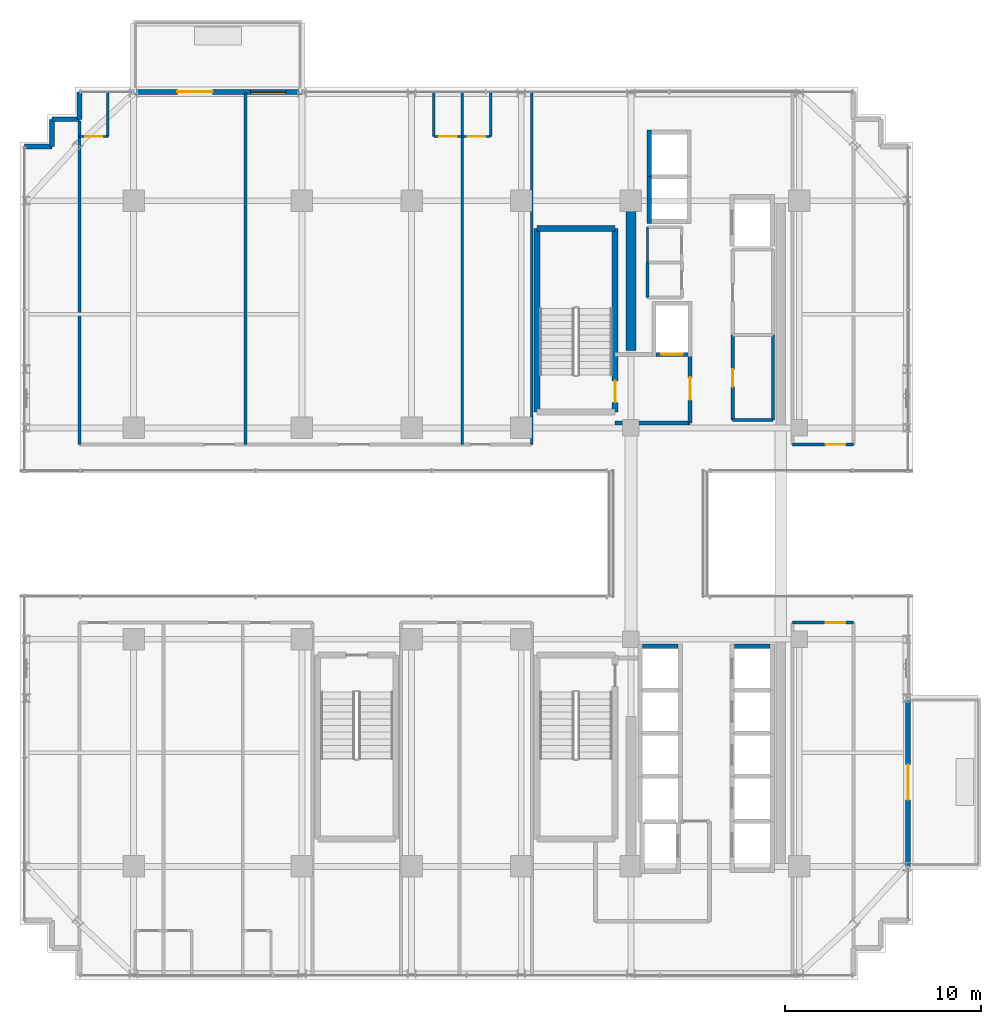
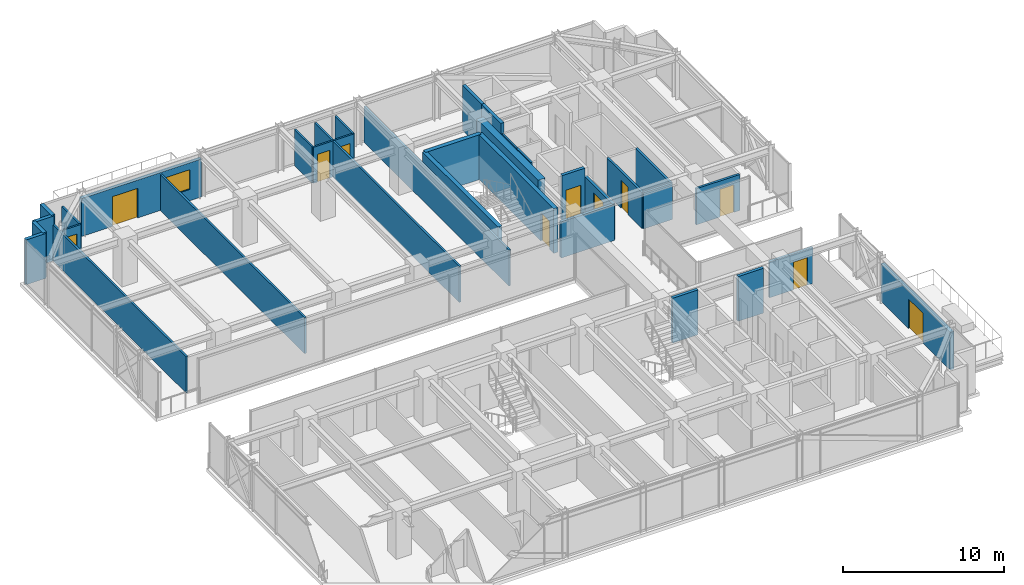
# One storey, part 31 of 36: 34 walls, 11 doors, 1 window, 12 openings.
"""IFC4 building model written with IfcOpenShell, lengths in metres."""

from ifc_helpers import new_model, si_unit, direction, frame, frame_2d, origin, place, context, subcontext, project, spatial, rectangle, extrude, source, transform, mapped, material, layer, layer_set, type_object, element, fill, save


model = new_model("IFC4")

# Units and contexts
model_context = context("Model", 3, precision=1e-05, world=origin(), true_north=direction((0.0, 1.0)))
body_context = subcontext(model_context, "Body", "Model", "MODEL_VIEW")
ifc_project = project(units=[si_unit("LENGTHUNIT", "METRE"), si_unit("AREAUNIT", "SQUARE_METRE"), si_unit("VOLUMEUNIT", "CUBIC_METRE"), si_unit("PLANEANGLEUNIT", "RADIAN"), si_unit("MASSUNIT", "GRAM", prefix="KILO")], contexts=[model_context])

# Site, building, storey
site_placement = place(None, origin())
site = spatial("IfcSite", under=ifc_project, at=site_placement, CompositionType="ELEMENT")
building_placement = place(site_placement, origin())
building = spatial("IfcBuilding", under=site, at=building_placement, Name="Nahalor Promenade Grand Hotel", CompositionType="ELEMENT")
storey_placement = place(building_placement, frame((0.0, 0.0, 174.550048828125)))
storey = spatial("IfcBuildingStorey", under=building, at=storey_placement, Name="L44", CompositionType="ELEMENT", Elevation=174.550048828125)

# Walls
ifc_material_1 = material(Name="Concrete B-60 (C50/60)", Category="concrete")
ifc_layer_1 = layer(ifc_material_1, 0.5)
ifc_layer_set_1 = layer_set([ifc_layer_1], Name="Concrete B-60 (C50/60)")
wall_type_1 = type_object("IfcWallType", Name="Wall-CoreShear-500", PredefinedType="SHEAR", material=ifc_layer_set_1)
shared_shape_1 = source(origin(), body_context, "Body", "SweptSolid", [
    extrude(rectangle(XDim=7.64990234375, YDim=0.5, at=frame_2d((3.824951171875, 0.0))), origin(), (0.0, 0.0, 1.0), 3.389892578125),
])
wall_1_placement = place(storey_placement, frame((8.39990234375, 9.35009765625, 0.0), z_axis=(0.0, 0.0, 1.0), x_axis=(0.0, 1.0, 0.0)))
element("IfcWall", 1, at=wall_1_placement, inside=storey, type_object=wall_type_1, Name="CWALL-L44-NW", PredefinedType="SHEAR", context=body_context, shape_type="MappedRepresentation", body=[
    mapped(shared_shape_1, transform((0.0, 0.0, 0.0), scale=1.0)),
])
ifc_material_2 = material(Name="Concrete B-50 (C40/50)", Category="concrete")
ifc_layer_2 = layer(ifc_material_2, 0.300048828125)
ifc_layer_set_2 = layer_set([ifc_layer_2], Name="Concrete B-50 (C40/50)")
wall_type_2 = type_object("IfcWallType", Name="Wall-ShaftShear-300", PredefinedType="SHEAR", material=ifc_layer_set_2)
shared_shape_2 = source(origin(), body_context, "Body", "SweptSolid", [
    extrude(rectangle(XDim=3.97998046875, YDim=0.300048828125, at=frame_2d((1.989990234375, 0.0))), origin(), (0.0, 0.0, 1.0), 3.389892578125),
])
wall_2_placement = place(storey_placement, frame((3.610107421875, 15.590087890625, 0.0), z_axis=(0.0, 0.0, 1.0), x_axis=(1.0, 0.0, 0.0)))
element("IfcWall", 2, at=wall_2_placement, inside=storey, type_object=wall_type_2, Name="L44 Exit Stair ST1 Shaft Wall N", PredefinedType="SHEAR", context=body_context, shape_type="MappedRepresentation", body=[
    mapped(shared_shape_2, transform((0.0, 0.0, 0.0), scale=1.0)),
])
shared_shape_3 = source(origin(), body_context, "Body", "SweptSolid", [
    extrude(rectangle(XDim=9.380126953125, YDim=0.300048828125, at=frame_2d((4.68994140625, 0.0))), origin(), (0.0, 0.0, 1.0), 3.389892578125),
])
wall_3_placement = place(storey_placement, frame((3.610107421875, 6.2099609375, 0.0), z_axis=(0.0, 0.0, 1.0), x_axis=(0.0, 1.0, 0.0)))
element("IfcWall", 3, at=wall_3_placement, inside=storey, type_object=wall_type_2, Name="L44 Exit Stair ST1 Shaft Wall W", PredefinedType="SHEAR", context=body_context, shape_type="MappedRepresentation", body=[
    mapped(shared_shape_3, transform((0.0, 0.0, 0.0), scale=1.0)),
])

# Wall, opening, door
wall_4_placement = place(storey_placement, frame((7.590087890625, 6.2099609375, 0.0), z_axis=(0.0, 0.0, 1.0), x_axis=(0.0, 1.0, 0.0)))
wall_4 = element("IfcWall", 4, at=wall_4_placement, inside=storey, type_object=wall_type_2, Name="L44 Exit Stair ST1 Shaft Wall E", PredefinedType="SHEAR", context=body_context, shape_type="MappedRepresentation", body=[
    mapped(shared_shape_3, transform((0.0, 0.0, 0.0), scale=1.0)),
])
opening_1_placement = place(wall_4_placement, frame((0.489990234375, 0.0, 0.0)))
opening_1 = element("IfcOpeningElement", 5, at=opening_1_placement, cuts=wall_4, Name="Opening D-ST1", PredefinedType="OPENING", context=body_context, shape_type="SweptSolid", body=[
    extrude(rectangle(XDim=1.10009765625, YDim=2.14990234375, at=frame_2d((0.550048828125, 1.074951171875))), frame((0.0, 0.159912109375, 0.0), z_axis=(0.0, -1.0, 0.0), x_axis=(1.0, 0.0, 0.0)), (0.0, 0.0, 1.0), 0.320068359375),
])
ifc_material_3 = material(Name="Steel S355JR", Category="steel")
door_type_1 = type_object("IfcDoorType", Name="Door-StairFire-1100", OperationType="NOTDEFINED", PredefinedType="DOOR", material=ifc_material_3)
shared_shape_4 = source(origin(), body_context, "Body", "SweptSolid", [
    extrude(rectangle(XDim=1.10009765625, YDim=2.14990234375, at=frame_2d((0.550048828125, 1.074951171875))), frame((0.0, 0.02490234375, 0.0), z_axis=(0.0, -1.0, 0.0), x_axis=(1.0, 0.0, 0.0)), (0.0, 0.0, 1.0), 0.050048828125),
])
door_1_placement = place(opening_1_placement, origin())
door_1 = element("IfcDoor", 6, at=door_1_placement, inside=storey, type_object=door_type_1, Name="DR-STAIR-ST1-L44", OperationType="SINGLE_SWING_LEFT", OverallHeight=2.14990234375, OverallWidth=1.10009765625, PredefinedType="DOOR", context=body_context, shape_type="MappedRepresentation", body=[
    mapped(shared_shape_4, transform((0.0, 0.0, 0.0), scale=1.0)),
])
fill(opening_1, door_1)

# Walls
ifc_layer_3 = layer(ifc_material_2, 0.219970703125)
ifc_layer_set_3 = layer_set([ifc_layer_3], Name="Concrete B-50 (C40/50)")
wall_type_3 = type_object("IfcWallType", Name="Wall-LiftShaft-220", PredefinedType="SHEAR", material=ifc_layer_set_3)
shared_shape_5 = source(origin(), body_context, "Body", "SweptSolid", [
    extrude(rectangle(XDim=1.820068359375, YDim=0.219970703125, at=frame_2d((0.91015625, 0.0))), origin(), (0.0, 0.0, 1.0), 3.389892578125),
])
for number, where, z_axis, x_axis, name in (
    (7, (13.68994140625, -5.75, 0.0), (0.0, 0.0, 1.0), (1.0, 0.0, 0.0), "L44 Lift PL5 Hoistway Wall N"),
    (8, (8.989990234375, -5.75, 0.0), (0.0, 0.0, 1.0), (1.0, 0.0, 0.0), "L44 Lift PL9 Hoistway Wall N"),
):
    element("IfcWall", number, at=place(storey_placement, frame(where, z_axis=z_axis, x_axis=x_axis)), inside=storey, type_object=wall_type_3, Name=name, PredefinedType="SHEAR", context=body_context, shape_type="MappedRepresentation", body=[
        mapped(shared_shape_5, transform((0.0, 0.0, 0.0), scale=1.0)),
    ])
shared_shape_6 = source(origin(), body_context, "Body", "SweptSolid", [
    extrude(rectangle(XDim=2.385009765625, YDim=0.219970703125, at=frame_2d((1.1923828125, 0.0))), origin(), (0.0, 0.0, 1.0), 3.389892578125),
])
for number, where, z_axis, x_axis, name in (
    (9, (9.330078125, 15.840087890625, 0.0), (0.0, 0.0, 1.0), (0.0, 1.0, 0.0), "L44 Lift OB1 Hoistway Wall W"),
    (10, (9.330078125, 18.22509765625, 0.0), (0.0, 0.0, 1.0), (0.0, 1.0, 0.0), "L44 Lift OB2 Hoistway Wall W"),
):
    element("IfcWall", number, at=place(storey_placement, frame(where, z_axis=z_axis, x_axis=x_axis)), inside=storey, type_object=wall_type_3, Name=name, PredefinedType="SHEAR", context=body_context, shape_type="MappedRepresentation", body=[
        mapped(shared_shape_6, transform((0.0, 0.0, 0.0), scale=1.0)),
    ])

# Wall, opening, door
shared_shape_7 = source(origin(), body_context, "Body", "SweptSolid", [
    extrude(rectangle(XDim=1.6201171875, YDim=0.219970703125, at=frame_2d((0.81005859375, 0.0))), origin(), (0.0, 0.0, 1.0), 3.389892578125),
])
wall_5_placement = place(storey_placement, frame((9.68994140625, 9.14990234375, 0.0), z_axis=(0.0, 0.0, 1.0), x_axis=(1.0, 0.0, 0.0)))
wall_5 = element("IfcWall", 11, at=wall_5_placement, inside=storey, type_object=wall_type_3, Name="L44 Lift FL1 Hoistway Wall S", PredefinedType="SHEAR", context=body_context, shape_type="MappedRepresentation", body=[
    mapped(shared_shape_7, transform((0.0, 0.0, 0.0), scale=1.0)),
])
opening_2_placement = place(wall_5_placement, frame((0.260009765625, 0.0, 0.0)))
opening_2 = element("IfcOpeningElement", 12, at=opening_2_placement, cuts=wall_5, Name="Opening LD-02", PredefinedType="OPENING", context=body_context, shape_type="SweptSolid", body=[
    extrude(rectangle(XDim=1.10009765625, YDim=2.199951171875, at=frame_2d((0.550048828125, 1.10009765625))), frame((0.0, 0.119873046875, 0.0), z_axis=(0.0, -1.0, 0.0), x_axis=(1.0, 0.0, 0.0)), (0.0, 0.0, 1.0), 0.239990234375),
])
door_type_2 = type_object("IfcDoorType", Name="Door-LiftFF-1100", OperationType="DOUBLE_DOOR_SLIDING", PredefinedType="DOOR", material=ifc_material_3)
shared_shape_8 = source(origin(), body_context, "Body", "SweptSolid", [
    extrude(rectangle(XDim=1.10009765625, YDim=2.199951171875, at=frame_2d((0.550048828125, 1.10009765625))), frame((0.0, 0.02490234375, 0.0), z_axis=(0.0, -1.0, 0.0), x_axis=(1.0, 0.0, 0.0)), (0.0, 0.0, 1.0), 0.050048828125),
])
door_2_placement = place(opening_2_placement, frame((1.10009765625, 0.0, 0.0), z_axis=(0.0, 0.0, 1.0), x_axis=(-1.0, 0.0, 0.0)))
door_2 = element("IfcDoor", 13, at=door_2_placement, inside=storey, type_object=door_type_2, Name="DR-LIFT-FL1-L44", OperationType="DOUBLE_DOOR_SLIDING", OverallHeight=2.199951171875, OverallWidth=1.10009765625, PredefinedType="DOOR", context=body_context, shape_type="MappedRepresentation", body=[
    mapped(shared_shape_8, transform((0.0, 0.0, 0.0), scale=1.0)),
])
fill(opening_2, door_2)

# Walls
ifc_material_4 = material(Name="Concrete B-40 (C32/40)", Category="concrete")
ifc_layer_4 = layer(ifc_material_4, 0.25)
ifc_layer_set_4 = layer_set([ifc_layer_4], Name="Concrete B-40 (C32/40)")
wall_type_4 = type_object("IfcWallType", Name="Wall-BronzePier-250", PredefinedType="STANDARD", material=ifc_layer_set_4)
shared_shape_9 = source(origin(), body_context, "Body", "SweptSolid", [
    extrude(rectangle(XDim=1.400146484375, YDim=0.25, at=frame_2d((0.7001953125, 0.0))), origin(), (0.0, 0.0, 1.0), 3.389892578125),
])
for number, where, z_axis, x_axis, name in (
    (14, (-19.760009765625, 21.159912109375, 0.0), (0.0, 0.0, 1.0), (0.0, 1.0, 0.0), "W-L44-SR-09"),
    (15, (-22.56005859375, 19.760009765625, 0.0), (0.0, 0.0, 1.0), (1.0, 0.0, 0.0), "W-L44-SR-12"),
):
    element("IfcWall", number, at=place(storey_placement, frame(where, z_axis=z_axis, x_axis=x_axis)), inside=storey, type_object=wall_type_4, Name=name, PredefinedType="STANDARD", context=body_context, shape_type="MappedRepresentation", body=[
        mapped(shared_shape_9, transform((0.0, 0.0, 0.0), scale=1.0)),
    ])
shared_shape_10 = source(origin(), body_context, "Body", "SweptSolid", [
    extrude(rectangle(XDim=1.39990234375, YDim=0.25, at=frame_2d((0.699951171875, 0.0))), origin(), (0.0, 0.0, 1.0), 3.389892578125),
])
for number, where, z_axis, x_axis, name in (
    (16, (-21.159912109375, 21.159912109375, 0.0), (0.0, 0.0, 1.0), (1.0, 0.0, 0.0), "W-L44-SR-10"),
    (17, (-21.159912109375, 19.760009765625, 0.0), (0.0, 0.0, 1.0), (0.0, 1.0, 0.0), "W-L44-SR-11"),
):
    element("IfcWall", number, at=place(storey_placement, frame(where, z_axis=z_axis, x_axis=x_axis)), inside=storey, type_object=wall_type_4, Name=name, PredefinedType="STANDARD", context=body_context, shape_type="MappedRepresentation", body=[
        mapped(shared_shape_10, transform((0.0, 0.0, 0.0), scale=1.0)),
    ])

# Wall, openings, door, window
ifc_layer_5 = layer(ifc_material_4, 0.260009765625)
ifc_layer_set_5 = layer_set([ifc_layer_5], Name="Concrete B-40 (C32/40)")
wall_type_5 = type_object("IfcWallType", Name="Wall-BalconyWall-260", PredefinedType="STANDARD", material=ifc_layer_set_5)
shared_shape_11 = source(origin(), body_context, "Body", "SweptSolid", [
    extrude(rectangle(XDim=8.60009765625, YDim=0.260009765625, at=frame_2d((4.300048828125, 0.0))), origin(), (0.0, 0.0, 1.0), 2.869873046875),
])
wall_6_placement = place(storey_placement, frame((-17.0, 22.56005859375, 0.0), z_axis=(0.0, 0.0, 1.0), x_axis=(1.0, 0.0, 0.0)))
wall_6 = element("IfcWall", 18, at=wall_6_placement, inside=storey, type_object=wall_type_5, Name="W-L44-BALC-N-2", PredefinedType="STANDARD", context=body_context, shape_type="MappedRepresentation", body=[
    mapped(shared_shape_11, transform((0.0, 0.0, 0.0), scale=1.0)),
])
opening_3_placement = place(wall_6_placement, frame((2.23291015625, 0.0, 0.0)))
opening_3 = element("IfcOpeningElement", 19, at=opening_3_placement, cuts=wall_6, Name="Opening D-BC1", PredefinedType="OPENING", context=body_context, shape_type="SweptSolid", body=[
    extrude(rectangle(XDim=1.800048828125, YDim=2.25, at=frame_2d((0.89990234375, 1.125))), frame((0.0, 0.139892578125, 0.0), z_axis=(0.0, -1.0, 0.0), x_axis=(1.0, 0.0, 0.0)), (0.0, 0.0, 1.0), 0.280029296875),
])
opening_4_placement = place(wall_6_placement, frame((5.98291015625, 0.0, 0.85009765625)))
opening_4 = element("IfcOpeningElement", 20, at=opening_4_placement, cuts=wall_6, Name="Opening WN-01", PredefinedType="OPENING", context=body_context, shape_type="SweptSolid", body=[
    extrude(rectangle(XDim=1.800048828125, YDim=1.5, at=frame_2d((0.89990234375, 0.75))), frame((0.0, 0.139892578125, 0.0), z_axis=(0.0, -1.0, 0.0), x_axis=(1.0, 0.0, 0.0)), (0.0, 0.0, 1.0), 0.280029296875),
])
ifc_material_5 = material(Name="Anodised Bronze Aluminium EN AW-6063 T6", Category="aluminium")
door_type_3 = type_object("IfcDoorType", Name="Door-BalconySlide-1800", OperationType="DOUBLE_DOOR_SLIDING", PredefinedType="DOOR", material=ifc_material_5)
shared_shape_12 = source(origin(), body_context, "Body", "SweptSolid", [
    extrude(rectangle(XDim=1.800048828125, YDim=2.25, at=frame_2d((0.89990234375, 1.125))), frame((0.0, 0.02490234375, 0.0), z_axis=(0.0, -1.0, 0.0), x_axis=(1.0, 0.0, 0.0)), (0.0, 0.0, 1.0), 0.050048828125),
])
door_3_placement = place(opening_3_placement, origin())
door_3 = element("IfcDoor", 21, at=door_3_placement, inside=storey, type_object=door_type_3, Name="DR-L44-BALC-N-2", OperationType="DOUBLE_DOOR_SLIDING", OverallHeight=2.25, OverallWidth=1.800048828125, PredefinedType="DOOR", context=body_context, shape_type="MappedRepresentation", body=[
    mapped(shared_shape_12, transform((0.0, 0.0, 0.0), scale=1.0)),
])
fill(opening_3, door_3)
ifc_material_6 = material(Name="Low-E Laminated Solar Glass", Category="glass")
window_type = type_object("IfcWindowType", Name="Win-ChicagoBay-1800x1500", PartitioningType="SINGLE_PANEL", PredefinedType="WINDOW", material=ifc_material_6)
shared_shape_13 = source(origin(), body_context, "Body", "SweptSolid", [
    extrude(rectangle(XDim=1.800048828125, YDim=1.5, at=frame_2d((0.89990234375, 0.75))), frame((0.0, 0.030029296875, 0.0), z_axis=(0.0, -1.0, 0.0), x_axis=(1.0, 0.0, 0.0)), (0.0, 0.0, 1.0), 0.06005859375),
])
window_placement = place(opening_4_placement, origin())
window = element("IfcWindow", 22, at=window_placement, inside=storey, type_object=window_type, Name="WN-L44-BALC-N-2-1", OverallHeight=1.5, OverallWidth=1.800048828125, PartitioningType="SINGLE_PANEL", PredefinedType="WINDOW", context=body_context, shape_type="MappedRepresentation", body=[
    mapped(shared_shape_13, transform((0.0, 0.0, 0.0), scale=1.0)),
])
fill(opening_4, window)

# Wall, opening, door
wall_7_placement = place(storey_placement, frame((22.56005859375, -17.0, 0.0), z_axis=(0.0, 0.0, 1.0), x_axis=(0.0, 1.0, 0.0)))
wall_7 = element("IfcWall", 23, at=wall_7_placement, inside=storey, type_object=wall_type_5, Name="W-L44-BALC-E-2", PredefinedType="STANDARD", context=body_context, shape_type="MappedRepresentation", body=[
    mapped(shared_shape_11, transform((0.0, 0.0, 0.0), scale=1.0)),
])
opening_5_placement = place(wall_7_placement, frame((3.39990234375, 0.0, 0.0)))
opening_5 = element("IfcOpeningElement", 24, at=opening_5_placement, cuts=wall_7, Name="Opening D-BC1", PredefinedType="OPENING", context=body_context, shape_type="SweptSolid", body=[
    extrude(rectangle(XDim=1.800048828125, YDim=2.25, at=frame_2d((0.89990234375, 1.125))), frame((0.0, 0.139892578125, 0.0), z_axis=(0.0, -1.0, 0.0), x_axis=(1.0, 0.0, 0.0)), (0.0, 0.0, 1.0), 0.280029296875),
])
door_4_placement = place(opening_5_placement, frame((1.800048828125, 0.0, 0.0), z_axis=(0.0, 0.0, 1.0), x_axis=(-1.0, 0.0, 0.0)))
door_4 = element("IfcDoor", 25, at=door_4_placement, inside=storey, type_object=door_type_3, Name="DR-L44-BALC-E-2", OperationType="DOUBLE_DOOR_SLIDING", OverallHeight=2.25, OverallWidth=1.800048828125, PredefinedType="DOOR", context=body_context, shape_type="MappedRepresentation", body=[
    mapped(shared_shape_12, transform((0.0, 0.0, 0.0), scale=1.0)),
])
fill(opening_5, door_4)

# Wall
ifc_layer_6 = layer(ifc_material_4, 0.199951171875)
ifc_layer_set_6 = layer_set([ifc_layer_6], Name="Concrete B-40 (C32/40)")
wall_type_6 = type_object("IfcWallType", Name="Wall-PartFire-200", PredefinedType="PARTITIONING", material=ifc_layer_set_6)
shared_shape_14 = source(origin(), body_context, "Body", "SweptSolid", [
    extrude(rectangle(XDim=3.81982421875, YDim=0.199951171875, at=frame_2d((1.909912109375, 0.0))), origin(), (0.0, 0.0, 1.0), 2.72998046875),
])
wall_8_placement = place(storey_placement, frame((7.60009765625, 5.64990234375, 0.0), z_axis=(0.0, 0.0, 1.0), x_axis=(1.0, 0.0, 0.0)))
element("IfcWall", 26, at=wall_8_placement, inside=storey, type_object=wall_type_6, Name="W-L44-FF1-S", PredefinedType="PARTITIONING", context=body_context, shape_type="MappedRepresentation", body=[
    mapped(shared_shape_14, transform((0.0, 0.0, 0.0), scale=1.0)),
])

# Wall, opening, door
shared_shape_15 = source(origin(), body_context, "Body", "SweptSolid", [
    extrude(rectangle(XDim=3.5, YDim=0.199951171875, at=frame_2d((1.75, 0.0))), origin(), (0.0, 0.0, 1.0), 2.72998046875),
])
wall_9_placement = place(storey_placement, frame((11.419921875, 5.64990234375, 0.0), z_axis=(0.0, 0.0, 1.0), x_axis=(0.0, 1.0, 0.0)))
wall_9 = element("IfcWall", 27, at=wall_9_placement, inside=storey, type_object=wall_type_6, Name="W-L44-FF1-E", PredefinedType="PARTITIONING", context=body_context, shape_type="MappedRepresentation", body=[
    mapped(shared_shape_15, transform((0.0, 0.0, 0.0), scale=1.0)),
])
opening_6_placement = place(wall_9_placement, frame((1.175048828125, 0.0, 0.0)))
opening_6 = element("IfcOpeningElement", 28, at=opening_6_placement, cuts=wall_9, Name="Opening D-FF1", PredefinedType="OPENING", context=body_context, shape_type="SweptSolid", body=[
    extrude(rectangle(XDim=1.14990234375, YDim=2.14990234375, at=frame_2d((0.574951171875, 1.074951171875))), frame((0.0, 0.10986328125, 0.0), z_axis=(0.0, -1.0, 0.0), x_axis=(1.0, 0.0, 0.0)), (0.0, 0.0, 1.0), 0.219970703125),
])
door_type_4 = type_object("IfcDoorType", Name="Door-FFLobby-1150", OperationType="NOTDEFINED", PredefinedType="DOOR", material=ifc_material_3)
shared_shape_16 = source(origin(), body_context, "Body", "SweptSolid", [
    extrude(rectangle(XDim=1.14990234375, YDim=2.14990234375, at=frame_2d((0.574951171875, 1.074951171875))), frame((0.0, 0.02490234375, 0.0), z_axis=(0.0, -1.0, 0.0), x_axis=(1.0, 0.0, 0.0)), (0.0, 0.0, 1.0), 0.050048828125),
])
door_5_placement = place(opening_6_placement, frame((1.14990234375, 0.0, 0.0), z_axis=(0.0, 0.0, 1.0), x_axis=(-1.0, 0.0, 0.0)))
door_5 = element("IfcDoor", 29, at=door_5_placement, inside=storey, type_object=door_type_4, Name="DR-L44-FFL1", OperationType="SINGLE_SWING_LEFT", OverallHeight=2.14990234375, OverallWidth=1.14990234375, PredefinedType="DOOR", context=body_context, shape_type="MappedRepresentation", body=[
    mapped(shared_shape_16, transform((0.0, 0.0, 0.0), scale=1.0)),
])
fill(opening_6, door_5)

# Wall
ifc_material_7 = material(Name="Acoustic Mineral Gypsum", Category="gypsum")
ifc_layer_7 = layer(ifc_material_7, 0.159912109375)
ifc_layer_set_7 = layer_set([ifc_layer_7], Name="Acoustic Mineral Gypsum")
wall_type_7 = type_object("IfcWallType", Name="Wall-PartCorridor-160", PredefinedType="PARTITIONING", material=ifc_layer_set_7)
shared_shape_17 = source(origin(), body_context, "Body", "SweptSolid", [
    extrude(rectangle(XDim=2.0498046875, YDim=0.159912109375, at=frame_2d((1.02490234375, 0.0))), origin(), (0.0, 0.0, 1.0), 2.72998046875),
])
wall_10_placement = place(storey_placement, frame((13.60009765625, 5.800048828125, 0.0), z_axis=(0.0, 0.0, 1.0), x_axis=(1.0, 0.0, 0.0)))
element("IfcWall", 30, at=wall_10_placement, inside=storey, type_object=wall_type_7, Name="W-L44-FRB1A-S", PredefinedType="PARTITIONING", context=body_context, shape_type="MappedRepresentation", body=[
    mapped(shared_shape_17, transform((0.0, 0.0, 0.0), scale=1.0)),
])

# Wall, opening, door
shared_shape_18 = source(origin(), body_context, "Body", "SweptSolid", [
    extrude(rectangle(XDim=3.110107421875, YDim=0.159912109375, at=frame_2d((1.55517578125, 0.0))), origin(), (0.0, 0.0, 1.0), 2.72998046875),
])
wall_11_placement = place(storey_placement, frame((16.64990234375, 4.550048828125, 0.0), z_axis=(0.0, 0.0, 1.0), x_axis=(1.0, 0.0, 0.0)))
wall_11 = element("IfcWall", 31, at=wall_11_placement, inside=storey, type_object=wall_type_7, Name="W-L44-ENE-S", PredefinedType="PARTITIONING", context=body_context, shape_type="MappedRepresentation", body=[
    mapped(shared_shape_18, transform((0.0, 0.0, 0.0), scale=1.0)),
])
opening_7_placement = place(wall_11_placement, frame((1.700927734375, 0.0, 0.0)))
opening_7 = element("IfcOpeningElement", 32, at=opening_7_placement, cuts=wall_11, Name="Opening D-04", PredefinedType="OPENING", context=body_context, shape_type="SweptSolid", body=[
    extrude(rectangle(XDim=1.0, YDim=2.10009765625, at=frame_2d((0.5, 1.050048828125))), frame((0.0, 0.08984375, 0.0), z_axis=(0.0, -1.0, 0.0), x_axis=(1.0, 0.0, 0.0)), (0.0, 0.0, 1.0), 0.179931640625),
])
door_type_5 = type_object("IfcDoorType", Name="Door-ServiceFire-1000", OperationType="NOTDEFINED", PredefinedType="DOOR", material=ifc_material_3)
shared_shape_19 = source(origin(), body_context, "Body", "SweptSolid", [
    extrude(rectangle(XDim=1.0, YDim=2.10009765625, at=frame_2d((0.5, 1.050048828125))), frame((0.0, 0.02490234375, 0.0), z_axis=(0.0, -1.0, 0.0), x_axis=(1.0, 0.0, 0.0)), (0.0, 0.0, 1.0), 0.050048828125),
])
door_6_placement = place(opening_7_placement, origin())
door_6 = element("IfcDoor", 33, at=door_6_placement, inside=storey, type_object=door_type_5, Name="DR-L44-ENE", OperationType="SINGLE_SWING_LEFT", OverallHeight=2.10009765625, OverallWidth=1.0, PredefinedType="DOOR", context=body_context, shape_type="MappedRepresentation", body=[
    mapped(shared_shape_19, transform((0.0, 0.0, 0.0), scale=1.0)),
])
fill(opening_7, door_6)

wall_12_placement = place(storey_placement, frame((16.64990234375, -4.550048828125, 0.0), z_axis=(0.0, 0.0, 1.0), x_axis=(1.0, 0.0, 0.0)))
wall_12 = element("IfcWall", 34, at=wall_12_placement, inside=storey, type_object=wall_type_7, Name="W-L44-ESE-N", PredefinedType="PARTITIONING", context=body_context, shape_type="MappedRepresentation", body=[
    mapped(shared_shape_18, transform((0.0, 0.0, 0.0), scale=1.0)),
])
opening_8_placement = place(wall_12_placement, frame((1.700927734375, 0.0, 0.0)))
opening_8 = element("IfcOpeningElement", 35, at=opening_8_placement, cuts=wall_12, Name="Opening D-04", PredefinedType="OPENING", context=body_context, shape_type="SweptSolid", body=[
    extrude(rectangle(XDim=1.0, YDim=2.10009765625, at=frame_2d((0.5, 1.050048828125))), frame((0.0, 0.08984375, 0.0), z_axis=(0.0, -1.0, 0.0), x_axis=(1.0, 0.0, 0.0)), (0.0, 0.0, 1.0), 0.179931640625),
])
door_7_placement = place(opening_8_placement, frame((1.0, 0.0, 0.0), z_axis=(0.0, 0.0, 1.0), x_axis=(-1.0, 0.0, 0.0)))
door_7 = element("IfcDoor", 36, at=door_7_placement, inside=storey, type_object=door_type_5, Name="DR-L44-ESE", OperationType="SINGLE_SWING_RIGHT", OverallHeight=2.10009765625, OverallWidth=1.0, PredefinedType="DOOR", context=body_context, shape_type="MappedRepresentation", body=[
    mapped(shared_shape_19, transform((0.0, 0.0, 0.0), scale=1.0)),
])
fill(opening_8, door_7)

ifc_layer_8 = layer(ifc_material_7, 0.1201171875)
ifc_layer_set_8 = layer_set([ifc_layer_8], Name="Acoustic Mineral Gypsum")
wall_type_8 = type_object("IfcWallType", Name="Wall-PartBath-120", PredefinedType="PARTITIONING", material=ifc_layer_set_8)
shared_shape_20 = source(origin(), body_context, "Body", "SweptSolid", [
    extrude(rectangle(XDim=1.449951171875, YDim=0.1201171875, at=frame_2d((0.72509765625, 0.0))), origin(), (0.0, 0.0, 1.0), 2.72998046875),
])
wall_13_placement = place(storey_placement, frame((-19.760009765625, 20.280029296875, 0.0), z_axis=(0.0, 0.0, 1.0), x_axis=(1.0, 0.0, 0.0)))
wall_13 = element("IfcWall", 37, at=wall_13_placement, inside=storey, type_object=wall_type_8, Name="W-L44-N1-BH", PredefinedType="PARTITIONING", context=body_context, shape_type="MappedRepresentation", body=[
    mapped(shared_shape_20, transform((0.0, 0.0, 0.0), scale=1.0)),
])
opening_9_placement = place(wall_13_placement, frame((0.284912109375, 0.0, 0.0)))
opening_9 = element("IfcOpeningElement", 38, at=opening_9_placement, cuts=wall_13, Name="Opening D-03", PredefinedType="OPENING", context=body_context, shape_type="SweptSolid", body=[
    extrude(rectangle(XDim=0.8798828125, YDim=2.10009765625, at=frame_2d((0.43994140625, 1.050048828125))), frame((0.0, 0.070068359375, 0.0), z_axis=(0.0, -1.0, 0.0), x_axis=(1.0, 0.0, 0.0)), (0.0, 0.0, 1.0), 0.14013671875),
])
ifc_material_8 = material(Name="Fire-Rated Timber Composite", Category="wood")
door_type_6 = type_object("IfcDoorType", Name="Door-BathSwing-880", OperationType="NOTDEFINED", PredefinedType="DOOR", material=ifc_material_8)
shared_shape_21 = source(origin(), body_context, "Body", "SweptSolid", [
    extrude(rectangle(XDim=0.8798828125, YDim=2.10009765625, at=frame_2d((0.43994140625, 1.050048828125))), frame((0.0, 0.02490234375, 0.0), z_axis=(0.0, -1.0, 0.0), x_axis=(1.0, 0.0, 0.0)), (0.0, 0.0, 1.0), 0.050048828125),
])
door_8_placement = place(opening_9_placement, origin())
door_8 = element("IfcDoor", 39, at=door_8_placement, inside=storey, type_object=door_type_6, Name="DR-L44-N1-BATH", OperationType="SINGLE_SWING_LEFT", OverallHeight=2.10009765625, OverallWidth=0.8798828125, PredefinedType="DOOR", context=body_context, shape_type="MappedRepresentation", body=[
    mapped(shared_shape_21, transform((0.0, 0.0, 0.0), scale=1.0)),
])
fill(opening_9, door_8)

wall_14_placement = place(storey_placement, frame((-1.659912109375, 20.280029296875, 0.0), z_axis=(0.0, 0.0, 1.0), x_axis=(1.0, 0.0, 0.0)))
wall_14 = element("IfcWall", 40, at=wall_14_placement, inside=storey, type_object=wall_type_8, Name="W-L44-N2-BH", PredefinedType="PARTITIONING", context=body_context, shape_type="MappedRepresentation", body=[
    mapped(shared_shape_20, transform((0.0, 0.0, 0.0), scale=1.0)),
])
opening_10_placement = place(wall_14_placement, frame((0.284912109375, 0.0, 0.0)))
opening_10 = element("IfcOpeningElement", 41, at=opening_10_placement, cuts=wall_14, Name="Opening D-03", PredefinedType="OPENING", context=body_context, shape_type="SweptSolid", body=[
    extrude(rectangle(XDim=0.8798828125, YDim=2.10009765625, at=frame_2d((0.43994140625, 1.050048828125))), frame((0.0, 0.070068359375, 0.0), z_axis=(0.0, -1.0, 0.0), x_axis=(1.0, 0.0, 0.0)), (0.0, 0.0, 1.0), 0.14013671875),
])
door_9_placement = place(opening_10_placement, origin())
door_9 = element("IfcDoor", 42, at=door_9_placement, inside=storey, type_object=door_type_6, Name="DR-L44-N2-BATH", OperationType="SINGLE_SWING_RIGHT", OverallHeight=2.10009765625, OverallWidth=0.8798828125, PredefinedType="DOOR", context=body_context, shape_type="MappedRepresentation", body=[
    mapped(shared_shape_21, transform((0.0, 0.0, 0.0), scale=1.0)),
])
fill(opening_10, door_9)

wall_15_placement = place(storey_placement, frame((-0.2099609375, 20.280029296875, 0.0), z_axis=(0.0, 0.0, 1.0), x_axis=(1.0, 0.0, 0.0)))
wall_15 = element("IfcWall", 43, at=wall_15_placement, inside=storey, type_object=wall_type_8, Name="W-L44-N3-BH", PredefinedType="PARTITIONING", context=body_context, shape_type="MappedRepresentation", body=[
    mapped(shared_shape_20, transform((0.0, 0.0, 0.0), scale=1.0)),
])
opening_11_placement = place(wall_15_placement, frame((0.284912109375, 0.0, 0.0)))
opening_11 = element("IfcOpeningElement", 44, at=opening_11_placement, cuts=wall_15, Name="Opening D-03", PredefinedType="OPENING", context=body_context, shape_type="SweptSolid", body=[
    extrude(rectangle(XDim=0.8798828125, YDim=2.10009765625, at=frame_2d((0.43994140625, 1.050048828125))), frame((0.0, 0.070068359375, 0.0), z_axis=(0.0, -1.0, 0.0), x_axis=(1.0, 0.0, 0.0)), (0.0, 0.0, 1.0), 0.14013671875),
])
door_10_placement = place(opening_11_placement, origin())
door_10 = element("IfcDoor", 45, at=door_10_placement, inside=storey, type_object=door_type_6, Name="DR-L44-N3-BATH", OperationType="SINGLE_SWING_LEFT", OverallHeight=2.10009765625, OverallWidth=0.8798828125, PredefinedType="DOOR", context=body_context, shape_type="MappedRepresentation", body=[
    mapped(shared_shape_21, transform((0.0, 0.0, 0.0), scale=1.0)),
])
fill(opening_11, door_10)

# Walls
shared_shape_22 = source(origin(), body_context, "Body", "SweptSolid", [
    extrude(rectangle(XDim=2.219970703125, YDim=0.1201171875, at=frame_2d((1.10986328125, 0.0))), origin(), (0.0, 0.0, 1.0), 2.72998046875),
])
for number, where, z_axis, x_axis, name in (
    (46, (-18.31005859375, 20.280029296875, 0.0), (0.0, 0.0, 1.0), (0.0, 1.0, 0.0), "W-L44-N1-BV"),
    (47, (-1.659912109375, 20.280029296875, 0.0), (0.0, 0.0, 1.0), (0.0, 1.0, 0.0), "W-L44-N2-BV"),
    (48, (1.239990234375, 20.280029296875, 0.0), (0.0, 0.0, 1.0), (0.0, 1.0, 0.0), "W-L44-N3-BV"),
):
    element("IfcWall", number, at=place(storey_placement, frame(where, z_axis=z_axis, x_axis=x_axis)), inside=storey, type_object=wall_type_8, Name=name, PredefinedType="PARTITIONING", context=body_context, shape_type="MappedRepresentation", body=[
        mapped(shared_shape_22, transform((0.0, 0.0, 0.0), scale=1.0)),
    ])
ifc_layer_9 = layer(ifc_material_7, 0.139892578125)
ifc_layer_set_9 = layer_set([ifc_layer_9], Name="Acoustic Mineral Gypsum")
wall_type_9 = type_object("IfcWallType", Name="Wall-PartSuite-140", PredefinedType="PARTITIONING", material=ifc_layer_set_9)
shared_shape_23 = source(origin(), body_context, "Body", "SweptSolid", [
    extrude(rectangle(XDim=17.949951171875, YDim=0.139892578125, at=frame_2d((8.97509765625, 0.0))), origin(), (0.0, 0.0, 1.0), 2.72998046875),
])
for number, where, z_axis, x_axis, name in (
    (49, (3.340087890625, 4.550048828125, 0.0), (0.0, 0.0, 1.0), (0.0, 1.0, 0.0), "W-L44-NW-ENDE"),
    (50, (-11.284912109375, 4.550048828125, 0.0), (0.0, 0.0, 1.0), (0.0, 1.0, 0.0), "W-L44-NP-1"),
    (51, (-0.2099609375, 4.550048828125, 0.0), (0.0, 0.0, 1.0), (0.0, 1.0, 0.0), "W-L44-NP-2"),
):
    element("IfcWall", number, at=place(storey_placement, frame(where, z_axis=z_axis, x_axis=x_axis)), inside=storey, type_object=wall_type_9, Name=name, PredefinedType="PARTITIONING", context=body_context, shape_type="MappedRepresentation", body=[
        mapped(shared_shape_23, transform((0.0, 0.0, 0.0), scale=1.0)),
    ])
ifc_layer_10 = layer(ifc_material_7, 0.14990234375)
ifc_layer_set_10 = layer_set([ifc_layer_10], Name="Acoustic Mineral Gypsum")
wall_type_10 = type_object("IfcWallType", Name="Wall-PartService-150", PredefinedType="PARTITIONING", material=ifc_layer_set_10)
shared_shape_24 = source(origin(), body_context, "Body", "SweptSolid", [
    extrude(rectangle(XDim=1.800048828125, YDim=0.14990234375, at=frame_2d((0.89990234375, 0.0))), origin(), (0.0, 0.0, 1.0), 2.72998046875),
])
wall_16_placement = place(storey_placement, frame((9.25, 12.050048828125, 0.0), z_axis=(0.0, 0.0, 1.0), x_axis=(0.0, 1.0, 0.0)))
element("IfcWall", 52, at=wall_16_placement, inside=storey, type_object=wall_type_10, Name="W-L44-CK2A-W", PredefinedType="PARTITIONING", context=body_context, shape_type="MappedRepresentation", body=[
    mapped(shared_shape_24, transform((0.0, 0.0, 0.0), scale=1.0)),
])
shared_shape_25 = source(origin(), body_context, "Body", "SweptSolid", [
    extrude(rectangle(XDim=1.7998046875, YDim=0.1201171875, at=frame_2d((0.89990234375, 0.0))), origin(), (0.0, 0.0, 1.0), 2.72998046875),
])
wall_17_placement = place(storey_placement, frame((9.25, 13.85009765625, 0.0), z_axis=(0.0, 0.0, 1.0), x_axis=(0.0, 1.0, 0.0)))
element("IfcWall", 53, at=wall_17_placement, inside=storey, type_object=wall_type_8, Name="W-L44-CK2B-W", PredefinedType="PARTITIONING", context=body_context, shape_type="MappedRepresentation", body=[
    mapped(shared_shape_25, transform((0.0, 0.0, 0.0), scale=1.0)),
])

# Wall, opening, door
shared_shape_26 = source(origin(), body_context, "Body", "SweptSolid", [
    extrude(rectangle(XDim=4.349853515625, YDim=0.159912109375, at=frame_2d((2.1748046875, 0.0))), origin(), (0.0, 0.0, 1.0), 2.72998046875),
])
wall_18_placement = place(storey_placement, frame((13.60009765625, 5.800048828125, 0.0), z_axis=(0.0, 0.0, 1.0), x_axis=(0.0, 1.0, 0.0)))
wall_18 = element("IfcWall", 54, at=wall_18_placement, inside=storey, type_object=wall_type_7, Name="W-L44-FRB1A-W", PredefinedType="PARTITIONING", context=body_context, shape_type="MappedRepresentation", body=[
    mapped(shared_shape_26, transform((0.0, 0.0, 0.0), scale=1.0)),
])
opening_12_placement = place(wall_18_placement, frame((1.7099609375, 0.0, 0.0)))
opening_12 = element("IfcOpeningElement", 55, at=opening_12_placement, cuts=wall_18, Name="Opening D-03", PredefinedType="OPENING", context=body_context, shape_type="SweptSolid", body=[
    extrude(rectangle(XDim=0.8798828125, YDim=2.10009765625, at=frame_2d((0.43994140625, 1.050048828125))), frame((0.0, 0.08984375, 0.0), z_axis=(0.0, -1.0, 0.0), x_axis=(1.0, 0.0, 0.0)), (0.0, 0.0, 1.0), 0.179931640625),
])
door_11_placement = place(opening_12_placement, frame((0.8798828125, 0.0, 0.0), z_axis=(0.0, 0.0, 1.0), x_axis=(-1.0, 0.0, 0.0)))
door_11 = element("IfcDoor", 56, at=door_11_placement, inside=storey, type_object=door_type_6, Name="DR-L44-FRB1A", OperationType="SINGLE_SWING_LEFT", OverallHeight=2.10009765625, OverallWidth=0.8798828125, PredefinedType="DOOR", context=body_context, shape_type="MappedRepresentation", body=[
    mapped(shared_shape_21, transform((0.0, 0.0, 0.0), scale=1.0)),
])
fill(opening_12, door_11)

# Walls
wall_19_placement = place(storey_placement, frame((15.64990234375, 5.800048828125, 0.0), z_axis=(0.0, 0.0, 1.0), x_axis=(0.0, 1.0, 0.0)))
element("IfcWall", 57, at=wall_19_placement, inside=storey, type_object=wall_type_7, Name="W-L44-FRB1A-E", PredefinedType="PARTITIONING", context=body_context, shape_type="MappedRepresentation", body=[
    mapped(shared_shape_26, transform((0.0, 0.0, 0.0), scale=1.0)),
])
shared_shape_27 = source(origin(), body_context, "Body", "SweptSolid", [
    extrude(rectangle(XDim=16.530029296875, YDim=0.139892578125, at=frame_2d((8.26513671875, 0.0))), origin(), (0.0, 0.0, 1.0), 2.72998046875),
])
wall_20_placement = place(storey_placement, frame((-19.760009765625, 4.550048828125, 0.0), z_axis=(0.0, 0.0, 1.0), x_axis=(0.0, 1.0, 0.0)))
element("IfcWall", 58, at=wall_20_placement, inside=storey, type_object=wall_type_9, Name="W-L44-NW-ENDW", PredefinedType="PARTITIONING", context=body_context, shape_type="MappedRepresentation", body=[
    mapped(shared_shape_27, transform((0.0, 0.0, 0.0), scale=1.0)),
])

save(model, "model.ifc")
